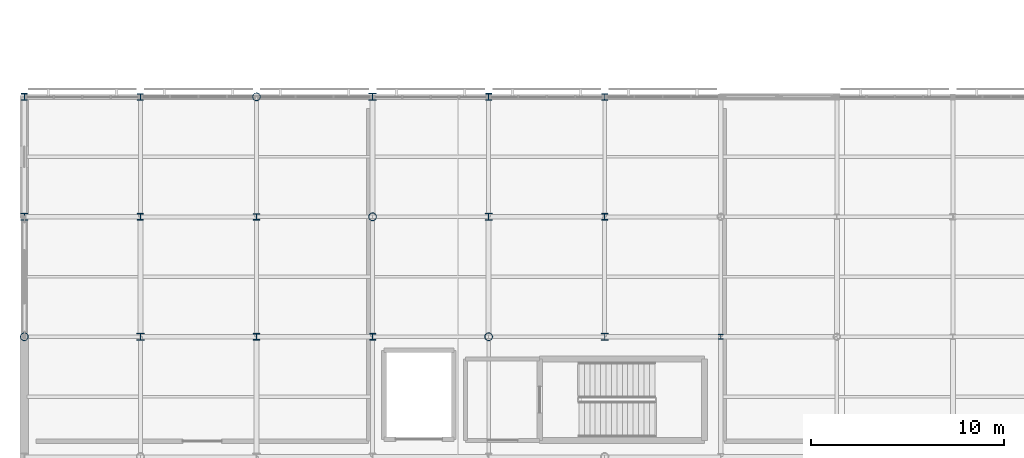
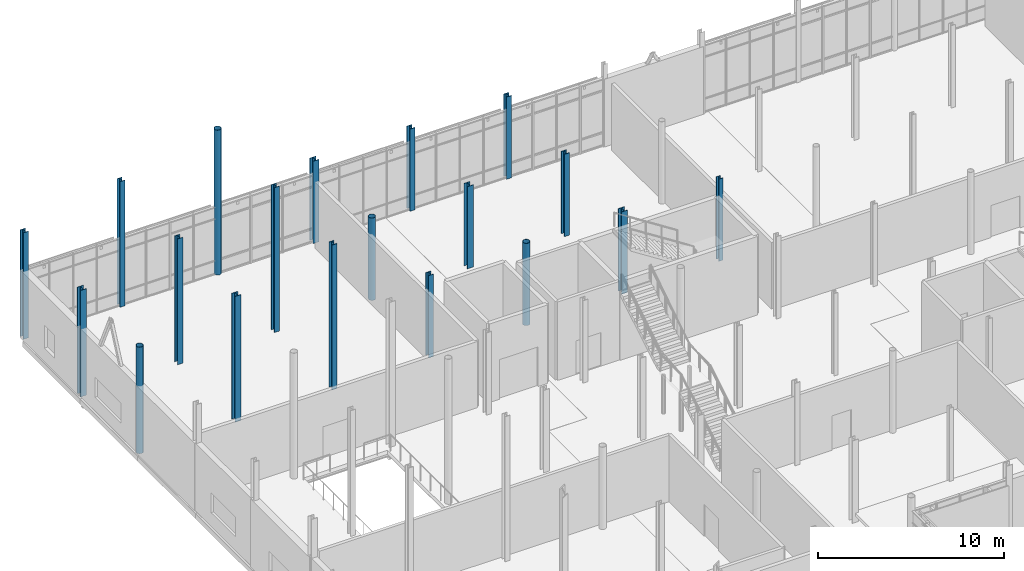
# One storey, part 8 of 105: 19 columns.
"""IFC4 building model written with IfcOpenShell, lengths in metres."""

from ifc_helpers import new_model, si_unit, direction, frame, origin, origin_2d, place, context, subcontext, project, spatial, hollow_circle, i_section, extrude, material, material_profile, profile_set, type_object, element, save


model = new_model("IFC4")

# Units and contexts
model_context = context("Model", 3, precision=1e-05, world=origin(), true_north=direction((0.0, 1.0)))
body_context = subcontext(model_context, "Body", "Model", "MODEL_VIEW")
ifc_project = project(units=[si_unit("LENGTHUNIT", "METRE"), si_unit("AREAUNIT", "SQUARE_METRE"), si_unit("VOLUMEUNIT", "CUBIC_METRE"), si_unit("PLANEANGLEUNIT", "RADIAN"), si_unit("MASSUNIT", "GRAM", prefix="KILO")], contexts=[model_context])

# Site, building, storey
site_placement = place(None, origin())
site = spatial("IfcSite", under=ifc_project, at=site_placement, CompositionType="ELEMENT")
building_placement = place(site_placement, origin())
building = spatial("IfcBuilding", under=site, at=building_placement, Name="Mirzam Square Science Centre", CompositionType="ELEMENT")
storey_placement = place(building_placement, frame((0.0, 0.0, 5.39990234375)))
storey = spatial("IfcBuildingStorey", under=building, at=storey_placement, Name="L01", CompositionType="ELEMENT", Elevation=5.39990234375)

# Columns
ifc_material = material(Name="Steel S355", Category="steel")
ifc_material_profile_1 = material_profile(ifc_material, hollow_circle(Radius=0.203125, WallThickness=0.01611328125, at=origin_2d()), Name="406.4x16.0CHS")
ifc_profile_set_1 = profile_set([ifc_material_profile_1], Name="Steel S355")
column_type_1 = type_object("IfcColumnType", Name="COL-CHS406", PredefinedType="COLUMN", material=ifc_profile_set_1)
column_1_placement = place(storey_placement, frame((0.0, 68.199951171875, 0.0), z_axis=(0.0, 0.0, 1.0), x_axis=(1.0, 0.0, 0.0)))
element("IfcColumn", 1, at=column_1_placement, inside=storey, type_object=column_type_1, Name="L01 column G01-12", PredefinedType="COLUMN", context=body_context, shape_type="SweptSolid", body=[
    extrude(hollow_circle(Radius=0.203125, WallThickness=0.01611328125, at=origin_2d()), origin(), (0.0, 0.0, 1.0), 6.989990234375),
])
column_2_placement = place(storey_placement, frame((12.0, 80.60009765625, 0.0), z_axis=(0.0, 0.0, 1.0), x_axis=(1.0, 0.0, 0.0)))
element("IfcColumn", 2, at=column_2_placement, inside=storey, type_object=column_type_1, Name="L01 column G03-14", PredefinedType="COLUMN", context=body_context, shape_type="SweptSolid", body=[
    extrude(hollow_circle(Radius=0.203125, WallThickness=0.01611328125, at=origin_2d()), origin(), (0.0, 0.0, 1.0), 9.510009765625),
])
for number, where, z_axis, x_axis, name in (
    (3, (18.0, 74.39990234375, 0.0), (0.0, 0.0, 1.0), (1.0, 0.0, 0.0), "L01 column G04-13"),
    (4, (24.0, 68.199951171875, 0.0), (0.0, 0.0, 1.0), (1.0, 0.0, 0.0), "L01 column G05-12"),
):
    element("IfcColumn", number, at=place(storey_placement, frame(where, z_axis=z_axis, x_axis=x_axis)), inside=storey, type_object=column_type_1, Name=name, PredefinedType="COLUMN", context=body_context, shape_type="SweptSolid", body=[
        extrude(hollow_circle(Radius=0.203125, WallThickness=0.01611328125, at=origin_2d()), origin(), (0.0, 0.0, 1.0), 5.400146484375),
    ])
ifc_material_profile_2 = material_profile(ifc_material, i_section(OverallWidth=0.26123046875, OverallDepth=0.2763671875, WebThickness=0.015380859375, FlangeThickness=0.025390625, FilletRadius=0.0126953125, at=origin_2d()), Name="254x254x132UC")
ifc_profile_set_2 = profile_set([ifc_material_profile_2], Name="Steel S355")
column_type_2 = type_object("IfcColumnType", Name="COL-UC254B", PredefinedType="COLUMN", material=ifc_profile_set_2)
column_3_placement = place(storey_placement, frame((36.0, 68.199951171875, 0.0), z_axis=(0.0, 0.0, 1.0), x_axis=(1.0, 0.0, 0.0)))
element("IfcColumn", 5, at=column_3_placement, inside=storey, type_object=column_type_2, Name="L01 column G07-12", PredefinedType="COLUMN", context=body_context, shape_type="SweptSolid", body=[
    extrude(i_section(OverallWidth=0.26123046875, OverallDepth=0.2763671875, WebThickness=0.015380859375, FlangeThickness=0.025390625, FilletRadius=0.0126953125, at=origin_2d()), origin(), (0.0, 0.0, 1.0), 5.400146484375),
])
ifc_material_profile_3 = material_profile(ifc_material, i_section(OverallWidth=0.314453125, OverallDepth=0.33984375, WebThickness=0.01904296875, FlangeThickness=0.031494140625, FilletRadius=0.01513671875, at=origin_2d()), Name="305x305x198UC")
ifc_profile_set_3 = profile_set([ifc_material_profile_3], Name="Steel S355")
column_type_3 = type_object("IfcColumnType", Name="COL-UC305B", PredefinedType="COLUMN", material=ifc_profile_set_3)
column_4_placement = place(storey_placement, frame((6.0, 80.60009765625, 0.0), z_axis=(0.0, 0.0, 1.0), x_axis=(1.0, 0.0, 0.0)))
element("IfcColumn", 6, at=column_4_placement, inside=storey, type_object=column_type_3, Name="L01 column G02-14", PredefinedType="COLUMN", context=body_context, shape_type="SweptSolid", body=[
    extrude(i_section(OverallWidth=0.314453125, OverallDepth=0.33984375, WebThickness=0.01904296875, FlangeThickness=0.031494140625, FilletRadius=0.01513671875, at=origin_2d()), origin(), (0.0, 0.0, 1.0), 8.25),
])
column_5_placement = place(storey_placement, frame((12.0, 74.39990234375, 0.0), z_axis=(0.0, 0.0, 1.0), x_axis=(1.0, 0.0, 0.0)))
element("IfcColumn", 7, at=column_5_placement, inside=storey, type_object=column_type_3, Name="L01 column G03-13", PredefinedType="COLUMN", context=body_context, shape_type="SweptSolid", body=[
    extrude(i_section(OverallWidth=0.314453125, OverallDepth=0.33984375, WebThickness=0.01904296875, FlangeThickness=0.031494140625, FilletRadius=0.01513671875, at=origin_2d()), origin(), (0.0, 0.0, 1.0), 9.510009765625),
])
for number, where, z_axis, x_axis, name in (
    (8, (18.0, 68.199951171875, 0.0), (0.0, 0.0, 1.0), (1.0, 0.0, 0.0), "L01 column G04-12"),
    (9, (30.0, 80.60009765625, 0.0), (0.0, 0.0, 1.0), (1.0, 0.0, 0.0), "L01 column G06-14"),
):
    element("IfcColumn", number, at=place(storey_placement, frame(where, z_axis=z_axis, x_axis=x_axis)), inside=storey, type_object=column_type_3, Name=name, PredefinedType="COLUMN", context=body_context, shape_type="SweptSolid", body=[
        extrude(i_section(OverallWidth=0.314453125, OverallDepth=0.33984375, WebThickness=0.01904296875, FlangeThickness=0.031494140625, FilletRadius=0.01513671875, at=origin_2d()), origin(), (0.0, 0.0, 1.0), 5.400146484375),
    ])
ifc_material_profile_4 = material_profile(ifc_material, i_section(OverallWidth=0.318359375, OverallDepth=0.3525390625, WebThickness=0.02294921875, FlangeThickness=0.03759765625, FilletRadius=0.01513671875, at=origin_2d()), Name="305x305x240UC")
ifc_profile_set_4 = profile_set([ifc_material_profile_4], Name="Steel S355")
column_type_4 = type_object("IfcColumnType", Name="COL-UC305C", PredefinedType="COLUMN", material=ifc_profile_set_4)
column_6_placement = place(storey_placement, frame((0.0, 80.60009765625, 0.0), z_axis=(0.0, 0.0, 1.0), x_axis=(1.0, 0.0, 0.0)))
element("IfcColumn", 10, at=column_6_placement, inside=storey, type_object=column_type_4, Name="L01 column G01-14", PredefinedType="COLUMN", context=body_context, shape_type="SweptSolid", body=[
    extrude(i_section(OverallWidth=0.318359375, OverallDepth=0.3525390625, WebThickness=0.02294921875, FlangeThickness=0.03759765625, FilletRadius=0.01513671875, at=origin_2d()), origin(), (0.0, 0.0, 1.0), 6.989990234375),
])
column_7_placement = place(storey_placement, frame((6.0, 74.39990234375, 0.0), z_axis=(0.0, 0.0, 1.0), x_axis=(1.0, 0.0, 0.0)))
element("IfcColumn", 11, at=column_7_placement, inside=storey, type_object=column_type_4, Name="L01 column G02-13", PredefinedType="COLUMN", context=body_context, shape_type="SweptSolid", body=[
    extrude(i_section(OverallWidth=0.318359375, OverallDepth=0.3525390625, WebThickness=0.02294921875, FlangeThickness=0.03759765625, FilletRadius=0.01513671875, at=origin_2d()), origin(), (0.0, 0.0, 1.0), 8.25),
])
column_8_placement = place(storey_placement, frame((12.0, 68.199951171875, 0.0), z_axis=(0.0, 0.0, 1.0), x_axis=(1.0, 0.0, 0.0)))
element("IfcColumn", 12, at=column_8_placement, inside=storey, type_object=column_type_4, Name="L01 column G03-12", PredefinedType="COLUMN", context=body_context, shape_type="SweptSolid", body=[
    extrude(i_section(OverallWidth=0.318359375, OverallDepth=0.3525390625, WebThickness=0.02294921875, FlangeThickness=0.03759765625, FilletRadius=0.01513671875, at=origin_2d()), origin(), (0.0, 0.0, 1.0), 9.510009765625),
])
for number, where, z_axis, x_axis, name in (
    (13, (24.0, 80.60009765625, 0.0), (0.0, 0.0, 1.0), (1.0, 0.0, 0.0), "L01 column G05-14"),
    (14, (30.0, 74.39990234375, 0.0), (0.0, 0.0, 1.0), (1.0, 0.0, 0.0), "L01 column G06-13"),
):
    element("IfcColumn", number, at=place(storey_placement, frame(where, z_axis=z_axis, x_axis=x_axis)), inside=storey, type_object=column_type_4, Name=name, PredefinedType="COLUMN", context=body_context, shape_type="SweptSolid", body=[
        extrude(i_section(OverallWidth=0.318359375, OverallDepth=0.3525390625, WebThickness=0.02294921875, FlangeThickness=0.03759765625, FilletRadius=0.01513671875, at=origin_2d()), origin(), (0.0, 0.0, 1.0), 5.400146484375),
    ])
ifc_material_profile_5 = material_profile(ifc_material, i_section(OverallWidth=0.374755859375, OverallDepth=0.37451171875, WebThickness=0.0166015625, FlangeThickness=0.027099609375, FilletRadius=0.01513671875, at=origin_2d()), Name="356x368x202UC")
ifc_profile_set_5 = profile_set([ifc_material_profile_5], Name="Steel S355")
column_type_5 = type_object("IfcColumnType", Name="COL-UC356A", PredefinedType="COLUMN", material=ifc_profile_set_5)
column_9_placement = place(storey_placement, frame((0.0, 74.39990234375, 0.0), z_axis=(0.0, 0.0, 1.0), x_axis=(1.0, 0.0, 0.0)))
element("IfcColumn", 15, at=column_9_placement, inside=storey, type_object=column_type_5, Name="L01 column G01-13", PredefinedType="COLUMN", context=body_context, shape_type="SweptSolid", body=[
    extrude(i_section(OverallWidth=0.374755859375, OverallDepth=0.37451171875, WebThickness=0.0166015625, FlangeThickness=0.027099609375, FilletRadius=0.01513671875, at=origin_2d()), origin(), (0.0, 0.0, 1.0), 6.989990234375),
])
column_10_placement = place(storey_placement, frame((6.0, 68.199951171875, 0.0), z_axis=(0.0, 0.0, 1.0), x_axis=(1.0, 0.0, 0.0)))
element("IfcColumn", 16, at=column_10_placement, inside=storey, type_object=column_type_5, Name="L01 column G02-12", PredefinedType="COLUMN", context=body_context, shape_type="SweptSolid", body=[
    extrude(i_section(OverallWidth=0.374755859375, OverallDepth=0.37451171875, WebThickness=0.0166015625, FlangeThickness=0.027099609375, FilletRadius=0.01513671875, at=origin_2d()), origin(), (0.0, 0.0, 1.0), 8.25),
])
for number, where, z_axis, x_axis, name in (
    (17, (18.0, 80.60009765625, 0.0), (0.0, 0.0, 1.0), (1.0, 0.0, 0.0), "L01 column G04-14"),
    (18, (24.0, 74.39990234375, 0.0), (0.0, 0.0, 1.0), (1.0, 0.0, 0.0), "L01 column G05-13"),
    (19, (30.0, 68.199951171875, 0.0), (0.0, 0.0, 1.0), (1.0, 0.0, 0.0), "L01 column G06-12"),
):
    element("IfcColumn", number, at=place(storey_placement, frame(where, z_axis=z_axis, x_axis=x_axis)), inside=storey, type_object=column_type_5, Name=name, PredefinedType="COLUMN", context=body_context, shape_type="SweptSolid", body=[
        extrude(i_section(OverallWidth=0.374755859375, OverallDepth=0.37451171875, WebThickness=0.0166015625, FlangeThickness=0.027099609375, FilletRadius=0.01513671875, at=origin_2d()), origin(), (0.0, 0.0, 1.0), 5.400146484375),
    ])

save(model, "model.ifc")
